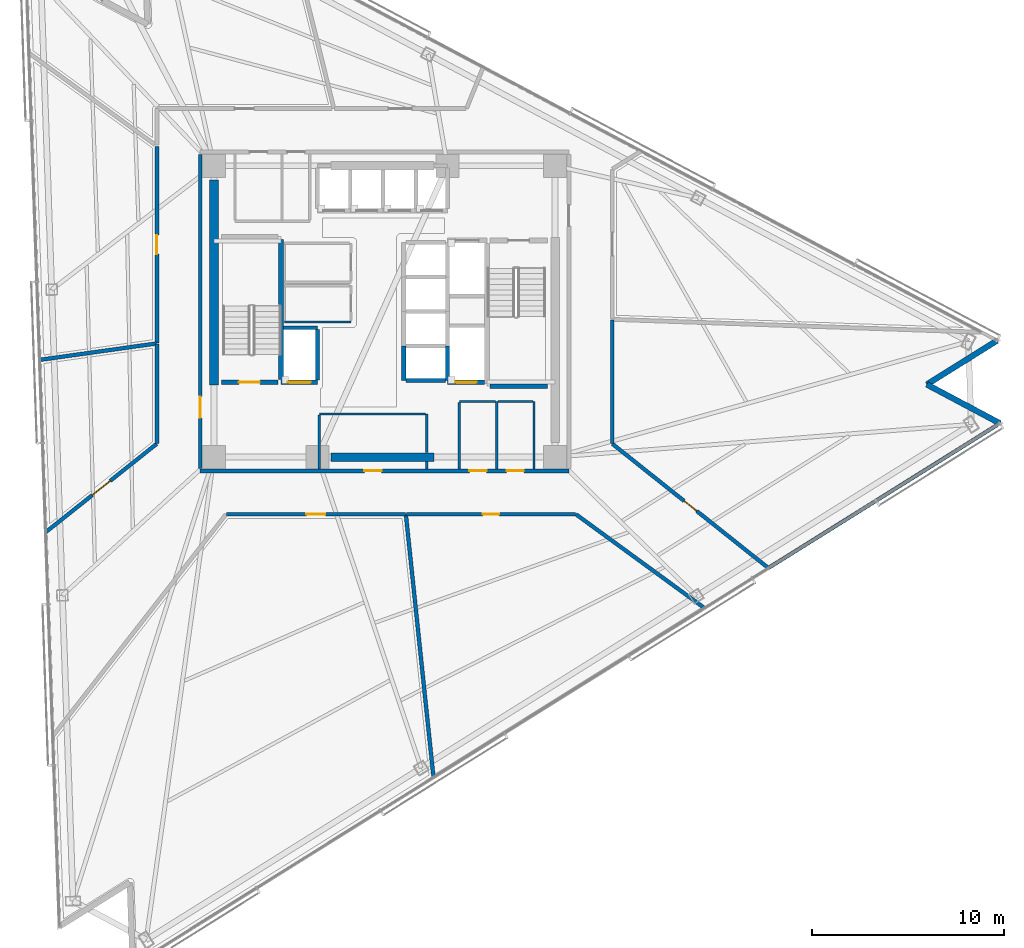
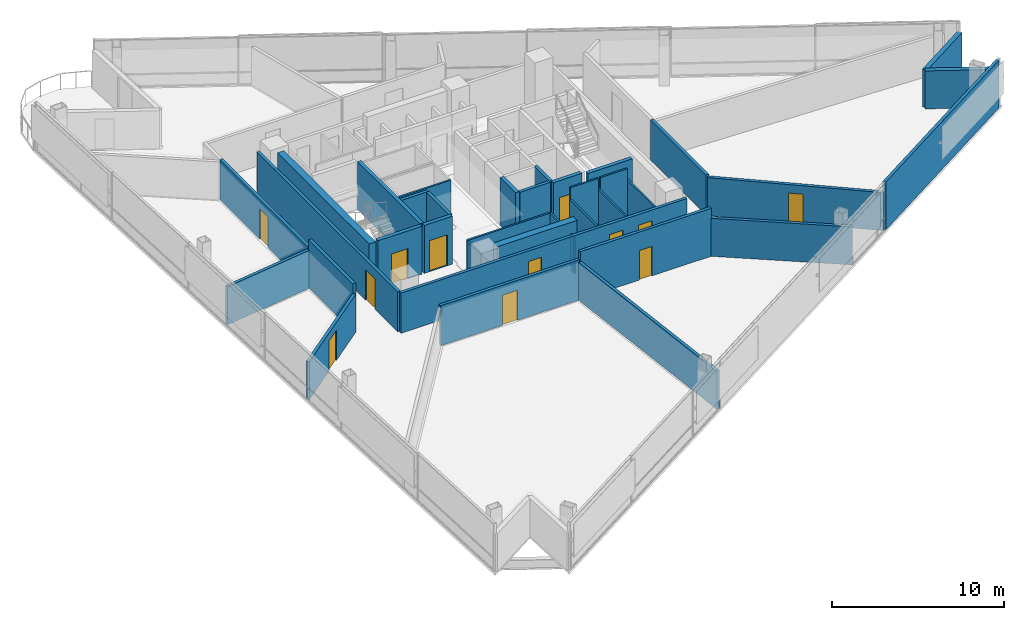
# One storey, part 12 of 20: 37 walls, 12 doors, 12 openings.
"""IFC4 building model written with IfcOpenShell, lengths in metres."""

import ifcopenshell
import ifcopenshell.guid

model = None  # the IFC model being written
_history = None  # IfcOwnerHistory: only IFC2X3 demands one
_inside = {}  # id of a spatial element -> (the spatial element, [elements in it])
_under = {}  # id of a project, library or spatial element -> (it, [spatial elements below it])
_declared = {}  # id of a project -> (the project, [libraries it declares])
_typed = {}  # id of a type object -> (the type object, [elements of that type])
_made_of = {}  # id of a material, layer set ... -> (it, [elements and type objects made of it])


def new_model(schema):
    """Start an empty IFC model of exactly this schema.

    Asked for "IFC4X3", IfcOpenShell would pick the latest addendum, in which some entities
    have other attributes; the version numbers below select the first issue.
    IFC2X3 requires an IfcOwnerHistory on every rooted entity: one is made here for all.
    """
    global model, _history
    if schema == "IFC4X3":
        model = ifcopenshell.file(schema_version=(4, 3, 0, 0))
    else:
        model = ifcopenshell.file(schema=schema)
    _inside.clear()
    _under.clear()
    _declared.clear()
    _typed.clear()
    _made_of.clear()
    _history = None
    if model.schema == "IFC2X3":
        org = make("IfcOrganization", Name="unknown")
        user = make(
            "IfcPersonAndOrganization",
            ThePerson=make("IfcPerson", FamilyName="unknown"),
            TheOrganization=org,
        )
        app = make(
            "IfcApplication",
            ApplicationDeveloper=org,
            Version="unknown",
            ApplicationFullName="unknown",
            ApplicationIdentifier="unknown",
        )
        _history = make(
            "IfcOwnerHistory",
            OwningUser=user,
            OwningApplication=app,
            ChangeAction="ADDED",
            CreationDate=0,
        )
    return model


def make(cls, **values):
    """One entity of the class cls with the attributes given. An attribute that is None is left unset."""
    return model.create_entity(
        cls, **{name: value for name, value in values.items() if value is not None}
    )


def rooted(cls, **values):
    """An entity with a GlobalId (a new one), such as an element, a storey or a relation."""
    return make(cls, GlobalId=ifcopenshell.guid.new(), OwnerHistory=_history, **values)


def si_unit(unit_type, name, prefix=None):
    """IfcSIUnit, for example si_unit("LENGTHUNIT", "METRE", prefix="MILLI")."""
    return make("IfcSIUnit", UnitType=unit_type, Prefix=prefix, Name=name)


def assignment(units):
    """IfcUnitAssignment: the units of a project."""
    return None if units is None else make("IfcUnitAssignment", Units=units)


def point(xyz):
    """IfcCartesianPoint."""
    return None if xyz is None else make("IfcCartesianPoint", Coordinates=xyz)


def direction(xyz):
    """IfcDirection."""
    return None if xyz is None else make("IfcDirection", DirectionRatios=xyz)


def frame(location, z_axis=None, x_axis=None):
    """IfcAxis2Placement3D, a coordinate frame: its origin and axes. An axis left out is left unset."""
    return make(
        "IfcAxis2Placement3D",
        Location=point(location),
        Axis=direction(z_axis),
        RefDirection=direction(x_axis),
    )


def frame_2d(location, x_axis=None):
    """IfcAxis2Placement2D, a coordinate frame in the plane: its origin and x axis."""
    return make(
        "IfcAxis2Placement2D", Location=point(location), RefDirection=direction(x_axis)
    )


def origin():
    """The frame at (0, 0, 0) with its axes left unset."""
    return frame((0.0, 0.0, 0.0))


def place(relative_to, where):
    """IfcLocalPlacement: puts the frame where relative to a parent placement (None: the world)."""
    return make(
        "IfcLocalPlacement", PlacementRelTo=relative_to, RelativePlacement=where
    )


def context(
    kind, dimensions, precision=None, world=None, true_north=None, identifier=None
):
    """IfcGeometricRepresentationContext, for example the 3D "Model" context."""
    return make(
        "IfcGeometricRepresentationContext",
        ContextIdentifier=identifier,
        ContextType=kind,
        CoordinateSpaceDimension=dimensions,
        Precision=precision,
        WorldCoordinateSystem=world,
        TrueNorth=true_north,
    )


def subcontext(parent, identifier, kind, view, scale=None):
    """IfcGeometricRepresentationSubContext, for example "Body" below "Model"."""
    return make(
        "IfcGeometricRepresentationSubContext",
        ContextIdentifier=identifier,
        ContextType=kind,
        ParentContext=parent,
        TargetScale=scale,
        TargetView=view,
    )


def project(units=None, contexts=None):
    """IfcProject with its units and contexts."""
    return rooted(
        "IfcProject",
        Name="project",
        RepresentationContexts=contexts,
        UnitsInContext=assignment(units),
    )


def spatial(cls, under=None, at=None, **own):
    """A site, building, storey or space (cls), placed at a placement, below another one or the project."""
    s = rooted(cls, ObjectPlacement=at, **own)
    if under is not None:
        _under.setdefault(under.id(), (under, []))[1].append(s)
    return s


def profile(cls, at=None, kind="AREA", **sizes):
    """A parametric profile (cls). Its sizes go by their IFC names, for example OverallWidth=200.0."""
    return make(cls, ProfileType=kind, Position=at, **sizes)


def rectangle(**sizes):
    """IfcRectangleProfileDef."""
    return profile("IfcRectangleProfileDef", **sizes)


def extrude(swept, where, along, depth):
    """IfcExtrudedAreaSolid: the profile swept, set in the frame where, extruded along a direction by depth."""
    return make(
        "IfcExtrudedAreaSolid",
        SweptArea=swept,
        Position=where,
        ExtrudedDirection=direction(along),
        Depth=depth,
    )


def shape(context_of_items, identifier, shape_type, items):
    """IfcShapeRepresentation: the items that make up one representation, for example the "Body"."""
    return make(
        "IfcShapeRepresentation",
        ContextOfItems=context_of_items,
        RepresentationIdentifier=identifier,
        RepresentationType=shape_type,
        Items=items,
    )


def material(Name=None, Category=None):
    """IfcMaterial."""
    return make("IfcMaterial", Name=Name, Category=Category)


def layer(
    of_material, thickness, ventilated=None, Name=None, Category=None, Priority=None
):
    """IfcMaterialLayer: one layer of a wall or slab, of a material (None: an air gap)."""
    return make(
        "IfcMaterialLayer",
        Material=of_material,
        LayerThickness=thickness,
        IsVentilated=ventilated,
        Name=Name,
        Category=Category,
        Priority=Priority,
    )


def layer_set(layers, Name=None):
    """IfcMaterialLayerSet."""
    return make("IfcMaterialLayerSet", MaterialLayers=layers, LayerSetName=Name)


def made_of(thing, what):
    """Note that an element or type object is made of a material, layer set ...; save() writes the relation."""
    if what is not None:
        _made_of.setdefault(what.id(), (what, []))[1].append(thing)
    return thing


def type_object(cls, material=None, **own):
    """A type object (cls), such as IfcWallType, which elements share."""
    return made_of(rooted(cls, **own), material)


def element(
    cls,
    number,
    at=None,
    inside=None,
    cuts=None,
    type_object=None,
    material=None,
    context=None,
    identifier="Body",
    shape_type=None,
    held_by="IfcProductDefinitionShape",
    body=None,
    shapes=None,
    **own,
):
    """One element of the class cls, such as IfcWall. Its Tag is "e" and its number.

    at: its placement. inside: the storey or other place that contains it. cuts: it is an
    opening in that element (IfcRelVoidsElement). A single representation is given by context,
    identifier, shape_type and body (its items); several are given by shapes. held_by: the class
    of the entity that holds the representations. save() writes the other relations.
    """
    e = rooted(cls, Tag="e%d" % number, ObjectPlacement=at, **own)
    if body is not None:
        shapes = [shape(context, identifier, shape_type, body)]
    if shapes is not None:
        e.Representation = make(held_by, Representations=shapes)
    if inside is not None:
        _inside.setdefault(inside.id(), (inside, []))[1].append(e)
    if cuts is not None:
        rooted(
            "IfcRelVoidsElement", RelatingBuildingElement=cuts, RelatedOpeningElement=e
        )
    if type_object is not None:
        _typed.setdefault(type_object.id(), (type_object, []))[1].append(e)
    return made_of(e, material)


def fill(opening, filler):
    """IfcRelFillsElement: the door or window that sits in an opening."""
    return rooted(
        "IfcRelFillsElement",
        RelatingOpeningElement=opening,
        RelatedBuildingElement=filler,
    )


def aggregate(whole, parts):
    """IfcRelAggregates: a whole, such as a stair, and the parts it consists of."""
    return rooted("IfcRelAggregates", RelatingObject=whole, RelatedObjects=parts)


def save(model, path):
    """Write the relations noted so far, then the file.

    IfcRelAggregates (storeys below a building ...), IfcRelContainedInSpatialStructure (elements
    in a storey), IfcRelDefinesByType, IfcRelAssociatesMaterial and IfcRelDeclares: one each for
    every whole, place, type object, material and project.
    """
    for whole, parts in _under.values():
        aggregate(whole, parts)
    for where, things in _inside.values():
        rooted(
            "IfcRelContainedInSpatialStructure",
            RelatedElements=things,
            RelatingStructure=where,
        )
    for kind, things in _typed.values():
        rooted("IfcRelDefinesByType", RelatedObjects=things, RelatingType=kind)
    for what, things in _made_of.values():
        rooted("IfcRelAssociatesMaterial", RelatedObjects=things, RelatingMaterial=what)
    for by, libraries in _declared.values():
        rooted("IfcRelDeclares", RelatingContext=by, RelatedDefinitions=libraries)
    model.write(path)


model = new_model("IFC4")

# Units and contexts
model_context = context("Model", 3, precision=1e-05, world=origin(), true_north=direction((0.0, 1.0)))
body_context = subcontext(model_context, "Body", "Model", "MODEL_VIEW")
ifc_project = project(units=[si_unit("LENGTHUNIT", "METRE"), si_unit("AREAUNIT", "SQUARE_METRE"), si_unit("VOLUMEUNIT", "CUBIC_METRE"), si_unit("PLANEANGLEUNIT", "RADIAN"), si_unit("MASSUNIT", "GRAM", prefix="KILO")], contexts=[model_context])

# Site, building, storey
site_placement = place(None, origin())
site = spatial("IfcSite", under=ifc_project, at=site_placement, CompositionType="ELEMENT")
building_placement = place(site_placement, origin())
building = spatial("IfcBuilding", under=site, at=building_placement, Name="Tharavind Bronze Gate", CompositionType="ELEMENT")
storey_placement = place(building_placement, frame((0.0, 0.0, 146.0)))
storey = spatial("IfcBuildingStorey", under=building, at=storey_placement, Name="L37", CompositionType="ELEMENT", Elevation=146.0)

# Walls
ifc_material_1 = material(Name="Concrete C40/50", Category="concrete")
ifc_layer_1 = layer(ifc_material_1, 0.300048828125)
ifc_layer_set_1 = layer_set([ifc_layer_1], Name="Concrete C40/50")
wall_type_1 = type_object("IfcWallType", Name="EXTERIOR SPANDREL WALL 300", PredefinedType="STANDARD", material=ifc_layer_set_1)
wall_1_placement = place(storey_placement, frame((32.114501953125, -5.83984375, 0.0), z_axis=(0.0, 0.0, 1.0), x_axis=(-0.882945167019, 0.469476125099, 0.0)))
element("IfcWall", 1, at=wall_1_placement, inside=storey, type_object=wall_type_1, Name="L37 notch cheek wall 3A", PredefinedType="STANDARD", context=body_context, shape_type="SweptSolid", body=[
    extrude(rectangle(XDim=4.31982421875, YDim=0.300048828125, at=frame_2d((2.159912109375, 0.0))), origin(), (0.0, 0.0, 1.0), 2.705078125),
])
wall_2_placement = place(storey_placement, frame((28.30029296875, -3.811767578125, 0.0), z_axis=(0.0, 0.0, 1.0), x_axis=(0.848042749904, 0.529927819929, 0.0)))
element("IfcWall", 2, at=wall_2_placement, inside=storey, type_object=wall_type_1, Name="L37 notch cheek wall 3B", PredefinedType="STANDARD", context=body_context, shape_type="SweptSolid", body=[
    extrude(rectangle(XDim=4.320068359375, YDim=0.300048828125, at=frame_2d((2.16015625, 0.0))), origin(), (0.0, 0.0, 1.0), 2.705078125),
])

# Wall, openings, doors
ifc_material_2 = material(Name="Aerated Concrete Block", Category="concrete")
ifc_layer_2 = layer(ifc_material_2, 0.199951171875)
ifc_layer_set_2 = layer_set([ifc_layer_2], Name="Aerated Concrete Block")
wall_type_2 = type_object("IfcWallType", Name="FIRE RATED PARTITION 200", PredefinedType="PARTITIONING", material=ifc_layer_set_2)
wall_3_placement = place(storey_placement, frame((-9.6201171875, -8.320068359375, 0.0), z_axis=(0.0, 0.0, 1.0), x_axis=(1.0, 0.0, 0.0)))
wall_3 = element("IfcWall", 3, at=wall_3_placement, inside=storey, type_object=wall_type_2, Name="L37 south core corridor wall", PredefinedType="PARTITIONING", context=body_context, shape_type="SweptSolid", body=[
    extrude(rectangle(XDim=19.240234375, YDim=0.199951171875, at=frame_2d((9.6201171875, 0.0))), origin(), (0.0, 0.0, 1.0), 2.85498046875),
])
opening_1_placement = place(wall_3_placement, frame((8.570068359375, 0.0, 0.0)))
opening_1 = element("IfcOpeningElement", 4, at=opening_1_placement, cuts=wall_3, Name="Opening ID07", PredefinedType="OPENING", context=body_context, shape_type="SweptSolid", body=[
    extrude(rectangle(XDim=0.89990234375, YDim=2.10009765625, at=frame_2d((0.449951171875, 1.050048828125))), frame((0.0, 0.11009765625, 0.0), z_axis=(0.0, -1.0, 0.0), x_axis=(1.0, 0.0, 0.0)), (0.0, 0.0, 1.0), 0.219951171875),
])
opening_2_placement = place(wall_3_placement, frame((14.044921875, 0.0, 0.0)))
opening_2 = element("IfcOpeningElement", 5, at=opening_2_placement, cuts=wall_3, Name="Opening ID07", PredefinedType="OPENING", context=body_context, shape_type="SweptSolid", body=[
    extrude(rectangle(XDim=0.89990234375, YDim=2.10009765625, at=frame_2d((0.449951171875, 1.050048828125))), frame((0.0, 0.11009765625, 0.0), z_axis=(0.0, -1.0, 0.0), x_axis=(1.0, 0.0, 0.0)), (0.0, 0.0, 1.0), 0.219951171875),
])
opening_3_placement = place(wall_3_placement, frame((15.9951171875, 0.0, 0.0)))
opening_3 = element("IfcOpeningElement", 6, at=opening_3_placement, cuts=wall_3, Name="Opening ID07", PredefinedType="OPENING", context=body_context, shape_type="SweptSolid", body=[
    extrude(rectangle(XDim=0.89990234375, YDim=2.10009765625, at=frame_2d((0.449951171875, 1.050048828125))), frame((0.0, 0.11009765625, 0.0), z_axis=(0.0, -1.0, 0.0), x_axis=(1.0, 0.0, 0.0)), (0.0, 0.0, 1.0), 0.219951171875),
])
ifc_material_3 = material(Name="Galvanised Fire Steel", Category="steel")
door_type_1 = type_object("IfcDoorType", Name="PLANT AND RISER FIRE DOOR 900X2100", OperationType="SINGLE_SWING_LEFT", PredefinedType="DOOR", material=ifc_material_3)
door_1_placement = place(opening_1_placement, origin())
door_1 = element("IfcDoor", 7, at=door_1_placement, inside=storey, type_object=door_type_1, Name="L37 Core BMS Control Room fire door", OperationType="SINGLE_SWING_LEFT", OverallHeight=2.10009765625, OverallWidth=0.89990234375, PredefinedType="DOOR", context=body_context, shape_type="SweptSolid", body=[
    extrude(rectangle(XDim=0.89990234375, YDim=2.10009765625, at=frame_2d((0.449951171875, 1.050048828125))), frame((0.0, 0.02490234375, 0.0), z_axis=(0.0, -1.0, 0.0), x_axis=(1.0, 0.0, 0.0)), (0.0, 0.0, 1.0), 0.050048828125),
])
fill(opening_1, door_1)
door_2_placement = place(opening_2_placement, origin())
door_2 = element("IfcDoor", 8, at=door_2_placement, inside=storey, type_object=door_type_1, Name="L37 Comms Patch Room fire door", OperationType="SINGLE_SWING_LEFT", OverallHeight=2.10009765625, OverallWidth=0.89990234375, PredefinedType="DOOR", context=body_context, shape_type="SweptSolid", body=[
    extrude(rectangle(XDim=0.89990234375, YDim=2.10009765625, at=frame_2d((0.449951171875, 1.050048828125))), frame((0.0, 0.02490234375, 0.0), z_axis=(0.0, -1.0, 0.0), x_axis=(1.0, 0.0, 0.0)), (0.0, 0.0, 1.0), 0.050048828125),
])
fill(opening_2, door_2)
door_3_placement = place(opening_3_placement, origin())
door_3 = element("IfcDoor", 9, at=door_3_placement, inside=storey, type_object=door_type_1, Name="L37 Housekeeping Store fire door", OperationType="SINGLE_SWING_LEFT", OverallHeight=2.10009765625, OverallWidth=0.89990234375, PredefinedType="DOOR", context=body_context, shape_type="SweptSolid", body=[
    extrude(rectangle(XDim=0.89990234375, YDim=2.10009765625, at=frame_2d((0.449951171875, 1.050048828125))), frame((0.0, 0.02490234375, 0.0), z_axis=(0.0, -1.0, 0.0), x_axis=(1.0, 0.0, 0.0)), (0.0, 0.0, 1.0), 0.050048828125),
])
fill(opening_3, door_3)

# Wall, opening, door
wall_4_placement = place(storey_placement, frame((-9.6201171875, 8.199951171875, 0.0), z_axis=(0.0, 0.0, 1.0), x_axis=(0.0, -1.0, 0.0)))
wall_4 = element("IfcWall", 10, at=wall_4_placement, inside=storey, type_object=wall_type_2, Name="L37 west core corridor wall", PredefinedType="PARTITIONING", context=body_context, shape_type="SweptSolid", body=[
    extrude(rectangle(XDim=16.39990234375, YDim=0.199951171875, at=frame_2d((8.199951171875, 0.0))), origin(), (0.0, 0.0, 1.0), 2.85498046875),
])
opening_4_placement = place(wall_4_placement, frame((12.64990234375, 0.0, 0.0)))
opening_4 = element("IfcOpeningElement", 11, at=opening_4_placement, cuts=wall_4, Name="Opening ID01", PredefinedType="OPENING", context=body_context, shape_type="SweptSolid", body=[
    extrude(rectangle(XDim=1.10009765625, YDim=2.14990234375, at=frame_2d((0.550048828125, 1.074951171875))), frame((0.0, 0.11009765625, 0.0), z_axis=(0.0, -1.0, 0.0), x_axis=(1.0, 0.0, 0.0)), (0.0, 0.0, 1.0), 0.219951171875),
])
ifc_material_4 = material(Name="Fire-Rated Steel", Category="steel")
door_type_2 = type_object("IfcDoorType", Name="STAIR CORE FIRE DOOR 1100X2150", OperationType="SINGLE_SWING_LEFT", PredefinedType="DOOR", material=ifc_material_4)
door_4_placement = place(opening_4_placement, frame((1.10009765625, 0.0, 0.0), z_axis=(0.0, 0.0, 1.0), x_axis=(-1.0, 0.0, 0.0)))
door_4 = element("IfcDoor", 12, at=door_4_placement, inside=storey, type_object=door_type_2, Name="L37 south west stair lobby fire door", OperationType="SINGLE_SWING_LEFT", OverallHeight=2.14990234375, OverallWidth=1.10009765625, PredefinedType="DOOR", context=body_context, shape_type="SweptSolid", body=[
    extrude(rectangle(XDim=1.10009765625, YDim=2.14990234375, at=frame_2d((0.550048828125, 1.074951171875))), frame((0.0, 0.02490234375, 0.0), z_axis=(0.0, -1.0, 0.0), x_axis=(1.0, 0.0, 0.0)), (0.0, 0.0, 1.0), 0.050048828125),
])
fill(opening_4, door_4)

# Wall
wall_5_placement = place(storey_placement, frame((2.55517578125, -24.310791015625, 0.0), z_axis=(0.0, 0.0, 1.0), x_axis=(-0.104523371889, 0.994522430481, 0.0)))
element("IfcWall", 13, at=wall_5_placement, inside=storey, type_object=wall_type_2, Name="L37 Public Restrooms Block partition", PredefinedType="PARTITIONING", context=body_context, shape_type="SweptSolid", body=[
    extrude(rectangle(XDim=13.778564453125, YDim=0.199951171875, at=frame_2d((6.88916015625, 0.0))), origin(), (0.0, 0.0, 1.0), 2.705078125),
])

# Wall, opening, door
wall_6_placement = place(storey_placement, frame((1.139892578125, -10.580078125, 0.0), z_axis=(0.0, 0.0, 1.0), x_axis=(1.0, 0.0, 0.0)))
wall_6 = element("IfcWall", 14, at=wall_6_placement, inside=storey, type_object=wall_type_2, Name="L37 Public Restrooms Block partition", PredefinedType="PARTITIONING", context=body_context, shape_type="SweptSolid", body=[
    extrude(rectangle(XDim=8.830078125, YDim=0.199951171875, at=frame_2d((4.4150390625, 0.0))), origin(), (0.0, 0.0, 1.0), 3.409912109375),
])
opening_5_placement = place(wall_6_placement, frame((3.989990234375, 0.0, 0.0)))
opening_5 = element("IfcOpeningElement", 15, at=opening_5_placement, cuts=wall_6, Name="Opening ID06", PredefinedType="OPENING", context=body_context, shape_type="SweptSolid", body=[
    extrude(rectangle(XDim=0.85009765625, YDim=2.10009765625, at=frame_2d((0.425048828125, 1.050048828125))), frame((0.0, 0.11009765625, 0.0), z_axis=(0.0, -1.0, 0.0), x_axis=(1.0, 0.0, 0.0)), (0.0, 0.0, 1.0), 0.219951171875),
])
ifc_material_5 = material(Name="Moisture-Resistant Timber", Category="wood")
door_type_3 = type_object("IfcDoorType", Name="BATHROOM PRIVACY DOOR 850X2100", OperationType="SINGLE_SWING_RIGHT", PredefinedType="DOOR", material=ifc_material_5)
door_5_placement = place(opening_5_placement, origin())
door_5 = element("IfcDoor", 16, at=door_5_placement, inside=storey, type_object=door_type_3, Name="L37 Public Restrooms Block door", OperationType="SINGLE_SWING_RIGHT", OverallHeight=2.10009765625, OverallWidth=0.85009765625, PredefinedType="DOOR", context=body_context, shape_type="SweptSolid", body=[
    extrude(rectangle(XDim=0.85009765625, YDim=2.10009765625, at=frame_2d((0.425048828125, 1.050048828125))), frame((0.0, 0.02490234375, 0.0), z_axis=(0.0, -1.0, 0.0), x_axis=(1.0, 0.0, 0.0)), (0.0, 0.0, 1.0), 0.050048828125),
])
fill(opening_5, door_5)

# Wall
wall_7_placement = place(storey_placement, frame((9.98486328125, -10.584716796875, 0.0), z_axis=(0.0, 0.0, 1.0), x_axis=(0.807835985814, -0.589407346429, 0.0)))
element("IfcWall", 17, at=wall_7_placement, inside=storey, type_object=wall_type_2, Name="L37 Public Restrooms Block partition", PredefinedType="PARTITIONING", context=body_context, shape_type="SweptSolid", body=[
    extrude(rectangle(XDim=8.30126953125, YDim=0.199951171875, at=frame_2d((4.150634765625, 0.0))), origin(), (0.0, 0.0, 1.0), 2.705078125),
])

# Wall, opening, door
wall_8_placement = place(storey_placement, frame((20.030029296875, -13.39111328125, 0.0), z_axis=(0.0, 0.0, 1.0), x_axis=(-0.782379652936, 0.622801797261, 0.0)))
wall_8 = element("IfcWall", 18, at=wall_8_placement, inside=storey, type_object=wall_type_2, Name="L37 Public Restrooms Block partition", PredefinedType="PARTITIONING", context=body_context, shape_type="SweptSolid", body=[
    extrude(rectangle(XDim=10.405029296875, YDim=0.199951171875, at=frame_2d((5.20263671875, 0.0))), origin(), (0.0, 0.0, 1.0), 2.705078125),
])
opening_6_placement = place(wall_8_placement, frame((4.777099609375, 0.0, 0.0)))
opening_6 = element("IfcOpeningElement", 19, at=opening_6_placement, cuts=wall_8, Name="Opening ID06", PredefinedType="OPENING", context=body_context, shape_type="SweptSolid", body=[
    extrude(rectangle(XDim=0.85009765625, YDim=2.10009765625, at=frame_2d((0.425048828125, 1.050048828125))), frame((0.0, 0.11009765625, 0.0), z_axis=(0.0, -1.0, 0.0), x_axis=(1.0, 0.0, 0.0)), (0.0, 0.0, 1.0), 0.219951171875),
])
door_6_placement = place(opening_6_placement, origin())
door_6 = element("IfcDoor", 20, at=door_6_placement, inside=storey, type_object=door_type_3, Name="L37 Public Restrooms Block door", OperationType="SINGLE_SWING_RIGHT", OverallHeight=2.10009765625, OverallWidth=0.85009765625, PredefinedType="DOOR", context=body_context, shape_type="SweptSolid", body=[
    extrude(rectangle(XDim=0.85009765625, YDim=2.10009765625, at=frame_2d((0.425048828125, 1.050048828125))), frame((0.0, 0.02490234375, 0.0), z_axis=(0.0, -1.0, 0.0), x_axis=(1.0, 0.0, 0.0)), (0.0, 0.0, 1.0), 0.050048828125),
])
fill(opening_6, door_6)

# Walls
wall_9_placement = place(storey_placement, frame((11.8798828125, -6.891357421875, 0.0), z_axis=(0.0, 0.0, 1.0), x_axis=(0.0, 1.0, 0.0)))
element("IfcWall", 21, at=wall_9_placement, inside=storey, type_object=wall_type_2, Name="L37 Public Restrooms Block partition", PredefinedType="PARTITIONING", context=body_context, shape_type="SweptSolid", body=[
    extrude(rectangle(XDim=6.45068359375, YDim=0.199951171875, at=frame_2d((3.225341796875, 0.0))), origin(), (0.0, 0.0, 1.0), 2.85498046875),
])
wall_10_placement = place(storey_placement, frame((31.962890625, -5.934814453125, 0.0), z_axis=(0.0, 0.0, 1.0), x_axis=(-0.848057783803, -0.529903760442, 0.0)))
element("IfcWall", 22, at=wall_10_placement, inside=storey, type_object=wall_type_2, Name="L37 Public Restrooms Block partition", PredefinedType="PARTITIONING", context=body_context, shape_type="SweptSolid", body=[
    extrude(rectangle(XDim=14.06494140625, YDim=0.199951171875, at=frame_2d((7.032470703125, 0.0))), origin(), (0.0, 0.0, 1.0), 3.409912109375),
])

# Wall, opening, door
wall_11_placement = place(storey_placement, frame((-11.8798828125, 8.61865234375, 0.0), z_axis=(0.0, 0.0, 1.0), x_axis=(0.0, -1.0, 0.0)))
wall_11 = element("IfcWall", 23, at=wall_11_placement, inside=storey, type_object=wall_type_2, Name="L37 Executive Office West partition", PredefinedType="PARTITIONING", context=body_context, shape_type="SweptSolid", body=[
    extrude(rectangle(XDim=10.2666015625, YDim=0.199951171875, at=frame_2d((5.13330078125, 0.0))), origin(), (0.0, 0.0, 1.0), 2.85498046875),
])
opening_7_placement = place(wall_11_placement, frame((4.633056640625, 0.0, 0.0)))
opening_7 = element("IfcOpeningElement", 24, at=opening_7_placement, cuts=wall_11, Name="Opening ID04", PredefinedType="OPENING", context=body_context, shape_type="SweptSolid", body=[
    extrude(rectangle(XDim=1.0, YDim=2.14990234375, at=frame_2d((0.5, 1.074951171875))), frame((0.0, 0.11009765625, 0.0), z_axis=(0.0, -1.0, 0.0), x_axis=(1.0, 0.0, 0.0)), (0.0, 0.0, 1.0), 0.219951171875),
])
ifc_material_6 = material(Name="Bronze Framed Acoustic Timber", Category="wood")
door_type_4 = type_object("IfcDoorType", Name="OFFICE TENANCY DOOR 1000X2150", OperationType="SINGLE_SWING_RIGHT", PredefinedType="DOOR", material=ifc_material_6)
door_7_placement = place(opening_7_placement, origin())
door_7 = element("IfcDoor", 25, at=door_7_placement, inside=storey, type_object=door_type_4, Name="L37 Executive Office West door", OperationType="SINGLE_SWING_RIGHT", OverallHeight=2.14990234375, OverallWidth=1.0, PredefinedType="DOOR", context=body_context, shape_type="SweptSolid", body=[
    extrude(rectangle(XDim=1.0, YDim=2.14990234375, at=frame_2d((0.5, 1.074951171875))), frame((0.0, 0.02490234375, 0.0), z_axis=(0.0, -1.0, 0.0), x_axis=(1.0, 0.0, 0.0)), (0.0, 0.0, 1.0), 0.050048828125),
])
fill(opening_7, door_7)

# Walls
wall_12_placement = place(storey_placement, frame((-11.901611328125, -1.672607421875, 0.0), z_axis=(0.0, 0.0, 1.0), x_axis=(-0.990268435755, -0.139170489501, 0.0)))
element("IfcWall", 26, at=wall_12_placement, inside=storey, type_object=wall_type_2, Name="L37 Executive Office West partition", PredefinedType="PARTITIONING", context=body_context, shape_type="SweptSolid", body=[
    extrude(rectangle(XDim=6.12060546875, YDim=0.199951171875, at=frame_2d((3.060302734375, 0.0))), origin(), (0.0, 0.0, 1.0), 2.705078125),
])
wall_13_placement = place(storey_placement, frame((-11.8798828125, -1.698486328125, 0.0), z_axis=(0.0, 0.0, 1.0), x_axis=(0.0, -1.0, 0.0)))
element("IfcWall", 27, at=wall_13_placement, inside=storey, type_object=wall_type_2, Name="L37 Regional Boardroom partition", PredefinedType="PARTITIONING", context=body_context, shape_type="SweptSolid", body=[
    extrude(rectangle(XDim=5.19287109375, YDim=0.199951171875, at=frame_2d((2.596435546875, 0.0))), origin(), (0.0, 0.0, 1.0), 3.409912109375),
])

# Wall, opening, door
wall_14_placement = place(storey_placement, frame((-11.889404296875, -6.910888671875, 0.0), z_axis=(0.0, 0.0, 1.0), x_axis=(-0.782386471956, -0.622793230936, 0.0)))
wall_14 = element("IfcWall", 28, at=wall_14_placement, inside=storey, type_object=wall_type_2, Name="L37 Regional Boardroom partition", PredefinedType="PARTITIONING", context=body_context, shape_type="SweptSolid", body=[
    extrude(rectangle(XDim=7.396484375, YDim=0.199951171875, at=frame_2d((3.6982421875, 0.0))), origin(), (0.0, 0.0, 1.0), 2.705078125),
])
opening_8_placement = place(wall_14_placement, frame((3.097900390625, 0.0, 0.0)))
opening_8 = element("IfcOpeningElement", 29, at=opening_8_placement, cuts=wall_14, Name="Opening ID05", PredefinedType="OPENING", context=body_context, shape_type="SweptSolid", body=[
    extrude(rectangle(XDim=1.199951171875, YDim=2.14990234375, at=frame_2d((0.60009765625, 1.074951171875))), frame((0.0, 0.11009765625, 0.0), z_axis=(0.0, -1.0, 0.0), x_axis=(1.0, 0.0, 0.0)), (0.0, 0.0, 1.0), 0.219951171875),
])
ifc_material_7 = material(Name="Acoustic Laminated Glass", Category="glass")
door_type_5 = type_object("IfcDoorType", Name="MEETING ROOM GLAZED DOOR 1200X2150", OperationType="SINGLE_SWING_LEFT", PredefinedType="DOOR", material=ifc_material_7)
door_8_placement = place(opening_8_placement, origin())
door_8 = element("IfcDoor", 30, at=door_8_placement, inside=storey, type_object=door_type_5, Name="L37 Regional Boardroom door", OperationType="SINGLE_SWING_LEFT", OverallHeight=2.14990234375, OverallWidth=1.199951171875, PredefinedType="DOOR", context=body_context, shape_type="SweptSolid", body=[
    extrude(rectangle(XDim=1.199951171875, YDim=2.14990234375, at=frame_2d((0.60009765625, 1.074951171875))), frame((0.0, 0.02490234375, 0.0), z_axis=(0.0, -1.0, 0.0), x_axis=(1.0, 0.0, 0.0)), (0.0, 0.0, 1.0), 0.050048828125),
])
fill(opening_8, door_8)

wall_15_placement = place(storey_placement, frame((-8.25390625, -10.580078125, 0.0), z_axis=(0.0, 0.0, 1.0), x_axis=(1.0, 0.0, 0.0)))
wall_15 = element("IfcWall", 31, at=wall_15_placement, inside=storey, type_object=wall_type_2, Name="L37 Open Office partition", PredefinedType="PARTITIONING", context=body_context, shape_type="SweptSolid", body=[
    extrude(rectangle(XDim=9.343505859375, YDim=0.199951171875, at=frame_2d((4.671875, 0.0))), origin(), (0.0, 0.0, 1.0), 2.85498046875),
])
opening_9_placement = place(wall_15_placement, frame((4.172119140625, 0.0, 0.0)))
opening_9 = element("IfcOpeningElement", 32, at=opening_9_placement, cuts=wall_15, Name="Opening ID04", PredefinedType="OPENING", context=body_context, shape_type="SweptSolid", body=[
    extrude(rectangle(XDim=1.0, YDim=2.14990234375, at=frame_2d((0.5, 1.074951171875))), frame((0.0, 0.11009765625, 0.0), z_axis=(0.0, -1.0, 0.0), x_axis=(1.0, 0.0, 0.0)), (0.0, 0.0, 1.0), 0.219951171875),
])
door_9_placement = place(opening_9_placement, origin())
door_9 = element("IfcDoor", 33, at=door_9_placement, inside=storey, type_object=door_type_4, Name="L37 Open Office door", OperationType="SINGLE_SWING_RIGHT", OverallHeight=2.14990234375, OverallWidth=1.0, PredefinedType="DOOR", context=body_context, shape_type="SweptSolid", body=[
    extrude(rectangle(XDim=1.0, YDim=2.14990234375, at=frame_2d((0.5, 1.074951171875))), frame((0.0, 0.02490234375, 0.0), z_axis=(0.0, -1.0, 0.0), x_axis=(1.0, 0.0, 0.0)), (0.0, 0.0, 1.0), 0.050048828125),
])
fill(opening_9, door_9)

# Walls
ifc_material_8 = material(Name="Metal Stud Gypsum Partition", Category="gypsum")
ifc_layer_3 = layer(ifc_material_8, 0.1201171875)
ifc_layer_set_3 = layer_set([ifc_layer_3], Name="Metal Stud Gypsum Partition")
wall_type_3 = type_object("IfcWallType", Name="INTERIOR PARTITION WALL 120", PredefinedType="PARTITIONING", material=ifc_layer_set_3)
wall_16_placement = place(storey_placement, frame((-5.219970703125, -0.550048828125, 0.0), z_axis=(0.0, 0.0, 1.0), x_axis=(1.0, 0.0, 0.0)))
element("IfcWall", 34, at=wall_16_placement, inside=storey, type_object=wall_type_3, Name="L37 Electrical Switch Room partition 1", PredefinedType="PARTITIONING", context=body_context, shape_type="SweptSolid", body=[
    extrude(rectangle(XDim=3.469970703125, YDim=0.1201171875, at=frame_2d((1.73486328125, 0.0))), origin(), (0.0, 0.0, 1.0), 3.409912109375),
])
wall_17_placement = place(storey_placement, frame((2.199951171875, -8.215087890625, 0.0), z_axis=(0.0, 0.0, 1.0), x_axis=(0.0, 1.0, 0.0)))
element("IfcWall", 35, at=wall_17_placement, inside=storey, type_object=wall_type_3, Name="L37 Core BMS Control Room partition 2", PredefinedType="PARTITIONING", context=body_context, shape_type="SweptSolid", body=[
    extrude(rectangle(XDim=0.385009765625, YDim=0.1201171875, at=frame_2d((0.1923828125, 0.0))), origin(), (0.0, 0.0, 1.0), 2.60498046875),
])
wall_18_placement = place(storey_placement, frame((2.199951171875, -7.3701171875, 0.0), z_axis=(0.0, 0.0, 1.0), x_axis=(0.0, 1.0, 0.0)))
element("IfcWall", 36, at=wall_18_placement, inside=storey, type_object=wall_type_3, Name="L37 Core BMS Control Room partition 2", PredefinedType="PARTITIONING", context=body_context, shape_type="SweptSolid", body=[
    extrude(rectangle(XDim=2.02001953125, YDim=0.1201171875, at=frame_2d((1.010009765625, 0.0))), origin(), (0.0, 0.0, 1.0), 2.60498046875),
])
wall_19_placement = place(storey_placement, frame((2.135009765625, -5.35009765625, 0.0), z_axis=(0.0, 0.0, 1.0), x_axis=(-1.0, 0.0, 0.0)))
element("IfcWall", 37, at=wall_19_placement, inside=storey, type_object=wall_type_3, Name="L37 Core BMS Control Room partition 3", PredefinedType="PARTITIONING", context=body_context, shape_type="SweptSolid", body=[
    extrude(rectangle(XDim=5.534912109375, YDim=0.1201171875, at=frame_2d((2.767578125, 0.0))), origin(), (0.0, 0.0, 1.0), 2.60498046875),
])
wall_20_placement = place(storey_placement, frame((-3.39990234375, -5.4150390625, 0.0), z_axis=(0.0, 0.0, 1.0), x_axis=(0.0, -1.0, 0.0)))
element("IfcWall", 38, at=wall_20_placement, inside=storey, type_object=wall_type_3, Name="L37 Core BMS Control Room partition 4", PredefinedType="PARTITIONING", context=body_context, shape_type="SweptSolid", body=[
    extrude(rectangle(XDim=2.800048828125, YDim=0.1201171875, at=frame_2d((1.39990234375, 0.0))), origin(), (0.0, 0.0, 1.0), 2.60498046875),
])
wall_21_placement = place(storey_placement, frame((5.85009765625, -8.215087890625, 0.0), z_axis=(0.0, 0.0, 1.0), x_axis=(0.0, 1.0, 0.0)))
element("IfcWall", 39, at=wall_21_placement, inside=storey, type_object=wall_type_3, Name="L37 Comms Patch Room partition 2", PredefinedType="PARTITIONING", context=body_context, shape_type="SweptSolid", body=[
    extrude(rectangle(XDim=3.51513671875, YDim=0.1201171875, at=frame_2d((1.757568359375, 0.0))), origin(), (0.0, 0.0, 1.0), 2.60498046875),
])
wall_22_placement = place(storey_placement, frame((5.784912109375, -4.699951171875, 0.0), z_axis=(0.0, 0.0, 1.0), x_axis=(-1.0, 0.0, 0.0)))
element("IfcWall", 40, at=wall_22_placement, inside=storey, type_object=wall_type_3, Name="L37 Comms Patch Room partition 3", PredefinedType="PARTITIONING", context=body_context, shape_type="SweptSolid", body=[
    extrude(rectangle(XDim=1.885009765625, YDim=0.1201171875, at=frame_2d((0.9423828125, 0.0))), origin(), (0.0, 0.0, 1.0), 3.409912109375),
])
wall_23_placement = place(storey_placement, frame((3.89990234375, -4.764892578125, 0.0), z_axis=(0.0, 0.0, 1.0), x_axis=(0.0, -1.0, 0.0)))
element("IfcWall", 41, at=wall_23_placement, inside=storey, type_object=wall_type_3, Name="L37 Comms Patch Room partition 4", PredefinedType="PARTITIONING", context=body_context, shape_type="SweptSolid", body=[
    extrude(rectangle(XDim=3.4501953125, YDim=0.1201171875, at=frame_2d((1.72509765625, 0.0))), origin(), (0.0, 0.0, 1.0), 2.60498046875),
])
wall_24_placement = place(storey_placement, frame((7.800048828125, -8.215087890625, 0.0), z_axis=(0.0, 0.0, 1.0), x_axis=(0.0, 1.0, 0.0)))
element("IfcWall", 42, at=wall_24_placement, inside=storey, type_object=wall_type_3, Name="L37 Housekeeping Store partition 2", PredefinedType="PARTITIONING", context=body_context, shape_type="SweptSolid", body=[
    extrude(rectangle(XDim=3.51513671875, YDim=0.1201171875, at=frame_2d((1.757568359375, 0.0))), origin(), (0.0, 0.0, 1.0), 2.60498046875),
])
wall_25_placement = place(storey_placement, frame((7.735107421875, -4.699951171875, 0.0), z_axis=(0.0, 0.0, 1.0), x_axis=(-1.0, 0.0, 0.0)))
element("IfcWall", 43, at=wall_25_placement, inside=storey, type_object=wall_type_3, Name="L37 Housekeeping Store partition 3", PredefinedType="PARTITIONING", context=body_context, shape_type="SweptSolid", body=[
    extrude(rectangle(XDim=1.820068359375, YDim=0.1201171875, at=frame_2d((0.91015625, 0.0))), origin(), (0.0, 0.0, 1.0), 3.409912109375),
])
ifc_material_9 = material(Name="Concrete C50/60", Category="concrete")
ifc_layer_4 = layer(ifc_material_9, 0.25)
ifc_layer_set_4 = layer_set([ifc_layer_4], Name="Concrete C50/60")
wall_type_4 = type_object("IfcWallType", Name="RC CORE SHEAR WALL 250", PredefinedType="SHEAR", material=ifc_layer_set_4)
wall_26_placement = place(storey_placement, frame((-5.39990234375, -3.550048828125, 0.0), z_axis=(0.0, 0.0, 1.0), x_axis=(0.0, 1.0, 0.0)))
element("IfcWall", 44, at=wall_26_placement, inside=storey, type_object=wall_type_4, Name="L37 ST1 shaft east wall", PredefinedType="SHEAR", context=body_context, shape_type="SweptSolid", body=[
    extrude(rectangle(XDim=7.300048828125, YDim=0.25, at=frame_2d((3.64990234375, 0.0))), origin(), (0.0, 0.0, 1.0), 3.409912109375),
])

# Wall, opening, door
wall_27_placement = place(storey_placement, frame((-8.5, -3.699951171875, 0.0), z_axis=(0.0, 0.0, 1.0), x_axis=(1.0, 0.0, 0.0)))
wall_27 = element("IfcWall", 45, at=wall_27_placement, inside=storey, type_object=wall_type_4, Name="L37 ST1 shaft south wall", PredefinedType="SHEAR", context=body_context, shape_type="SweptSolid", body=[
    extrude(rectangle(XDim=2.949951171875, YDim=0.25, at=frame_2d((1.47509765625, 0.0))), origin(), (0.0, 0.0, 1.0), 3.409912109375),
])
opening_10_placement = place(wall_27_placement, frame((0.89990234375, 0.0, 0.0)))
opening_10 = element("IfcOpeningElement", 46, at=opening_10_placement, cuts=wall_27, Name="Opening ID01", PredefinedType="OPENING", context=body_context, shape_type="SweptSolid", body=[
    extrude(rectangle(XDim=1.10009765625, YDim=2.14990234375, at=frame_2d((0.550048828125, 1.074951171875))), frame((0.0, 0.135, 0.0), z_axis=(0.0, -1.0, 0.0), x_axis=(1.0, 0.0, 0.0)), (0.0, 0.0, 1.0), 0.27),
])
door_10_placement = place(opening_10_placement, origin())
door_10 = element("IfcDoor", 47, at=door_10_placement, inside=storey, type_object=door_type_2, Name="L37 exit stair ST1 fire door", OperationType="SINGLE_SWING_LEFT", OverallHeight=2.14990234375, OverallWidth=1.10009765625, PredefinedType="DOOR", context=body_context, shape_type="SweptSolid", body=[
    extrude(rectangle(XDim=1.10009765625, YDim=2.14990234375, at=frame_2d((0.550048828125, 1.074951171875))), frame((0.0, 0.02490234375, 0.0), z_axis=(0.0, -1.0, 0.0), x_axis=(1.0, 0.0, 0.0)), (0.0, 0.0, 1.0), 0.050048828125),
])
fill(opening_10, door_10)

# Walls
wall_28_placement = place(storey_placement, frame((5.5, -3.89990234375, 0.0), z_axis=(0.0, 0.0, 1.0), x_axis=(1.0, 0.0, 0.0)))
element("IfcWall", 48, at=wall_28_placement, inside=storey, type_object=wall_type_4, Name="L37 ST2 shaft south wall", PredefinedType="SHEAR", context=body_context, shape_type="SweptSolid", body=[
    extrude(rectangle(XDim=3.0, YDim=0.25, at=frame_2d((1.5, 0.0))), origin(), (0.0, 0.0, 1.0), 3.409912109375),
])
wall_29_placement = place(storey_placement, frame((1.0, -3.60009765625, 0.0), z_axis=(0.0, 0.0, 1.0), x_axis=(0.0, 1.0, 0.0)))
element("IfcWall", 49, at=wall_29_placement, inside=storey, type_object=wall_type_4, Name="L37 lift PL9 shaft front wall", PredefinedType="SHEAR", context=body_context, shape_type="SweptSolid", body=[
    extrude(rectangle(XDim=1.800048828125, YDim=0.25, at=frame_2d((0.89990234375, 0.0))), origin(), (0.0, 0.0, 1.0), 3.409912109375),
])

# Wall, opening, door
wall_30_placement = place(storey_placement, frame((-5.39990234375, -3.699951171875, 0.0), z_axis=(0.0, 0.0, 1.0), x_axis=(1.0, 0.0, 0.0)))
wall_30 = element("IfcWall", 50, at=wall_30_placement, inside=storey, type_object=wall_type_4, Name="L37 lift FFL1 shaft front wall", PredefinedType="SHEAR", context=body_context, shape_type="SweptSolid", body=[
    extrude(rectangle(XDim=1.89990234375, YDim=0.25, at=frame_2d((0.949951171875, 0.0))), origin(), (0.0, 0.0, 1.0), 3.409912109375),
])
opening_11_placement = place(wall_30_placement, frame((0.35009765625, 0.0, 0.0)))
opening_11 = element("IfcOpeningElement", 51, at=opening_11_placement, cuts=wall_30, Name="Opening LD02", PredefinedType="OPENING", context=body_context, shape_type="SweptSolid", body=[
    extrude(rectangle(XDim=1.199951171875, YDim=2.199951171875, at=frame_2d((0.60009765625, 1.10009765625))), frame((0.0, 0.135, 0.0), z_axis=(0.0, -1.0, 0.0), x_axis=(1.0, 0.0, 0.0)), (0.0, 0.0, 1.0), 0.27),
])
ifc_material_10 = material(Name="Brushed Stainless Steel", Category="steel")
door_type_6 = type_object("IfcDoorType", Name="FIREFIGHTING LIFT LANDING DOOR 1200X2200", OperationType="SLIDING_TO_RIGHT", PredefinedType="DOOR", material=ifc_material_10)
door_11_placement = place(opening_11_placement, origin())
door_11 = element("IfcDoor", 52, at=door_11_placement, inside=storey, type_object=door_type_6, Name="L37 lift FFL1 sliding landing door", OperationType="SLIDING_TO_RIGHT", OverallHeight=2.199951171875, OverallWidth=1.199951171875, PredefinedType="DOOR", context=body_context, shape_type="SweptSolid", body=[
    extrude(rectangle(XDim=1.199951171875, YDim=2.199951171875, at=frame_2d((0.60009765625, 1.10009765625))), frame((0.0, 0.02490234375, 0.0), z_axis=(0.0, -1.0, 0.0), x_axis=(1.0, 0.0, 0.0)), (0.0, 0.0, 1.0), 0.050048828125),
])
fill(opening_11, door_11)

wall_31_placement = place(storey_placement, frame((3.280029296875, -3.699951171875, 0.0), z_axis=(0.0, 0.0, 1.0), x_axis=(1.0, 0.0, 0.0)))
wall_31 = element("IfcWall", 53, at=wall_31_placement, inside=storey, type_object=wall_type_4, Name="L37 lift SVL1 shaft front wall", PredefinedType="SHEAR", context=body_context, shape_type="SweptSolid", body=[
    extrude(rectangle(XDim=1.93994140625, YDim=0.25, at=frame_2d((0.969970703125, 0.0))), origin(), (0.0, 0.0, 1.0), 3.409912109375),
])
opening_12_placement = place(wall_31_placement, frame((0.419921875, 0.0, 0.0)))
opening_12 = element("IfcOpeningElement", 54, at=opening_12_placement, cuts=wall_31, Name="Opening LD01", PredefinedType="OPENING", context=body_context, shape_type="SweptSolid", body=[
    extrude(rectangle(XDim=1.10009765625, YDim=2.199951171875, at=frame_2d((0.550048828125, 1.10009765625))), frame((0.0, 0.135, 0.0), z_axis=(0.0, -1.0, 0.0), x_axis=(1.0, 0.0, 0.0)), (0.0, 0.0, 1.0), 0.27),
])
ifc_material_11 = material(Name="Brushed Bronze Stainless Steel", Category="steel")
door_type_7 = type_object("IfcDoorType", Name="LIFT LANDING SLIDING DOOR 1100X2200", OperationType="SLIDING_TO_LEFT", PredefinedType="DOOR", material=ifc_material_11)
door_12_placement = place(opening_12_placement, origin())
door_12 = element("IfcDoor", 55, at=door_12_placement, inside=storey, type_object=door_type_7, Name="L37 lift SVL1 sliding landing door", OperationType="SLIDING_TO_LEFT", OverallHeight=2.199951171875, OverallWidth=1.10009765625, PredefinedType="DOOR", context=body_context, shape_type="SweptSolid", body=[
    extrude(rectangle(XDim=1.10009765625, YDim=2.199951171875, at=frame_2d((0.550048828125, 1.10009765625))), frame((0.0, 0.02490234375, 0.0), z_axis=(0.0, -1.0, 0.0), x_axis=(1.0, 0.0, 0.0)), (0.0, 0.0, 1.0), 0.050048828125),
])
fill(opening_12, door_12)

# Walls
ifc_material_12 = material(Name="Concrete C60/75", Category="concrete")
ifc_layer_5 = layer(ifc_material_12, 0.449951171875)
ifc_layer_set_5 = layer_set([ifc_layer_5], Name="Concrete C60/75")
wall_type_5 = type_object("IfcWallType", Name="RC CORE SHEAR WALL 450", PredefinedType="SHEAR", material=ifc_layer_set_5)
wall_32_placement = place(storey_placement, frame((-2.800048828125, -7.60009765625, 0.0), z_axis=(0.0, 0.0, 1.0), x_axis=(1.0, 0.0, 0.0)))
element("IfcWall", 56, at=wall_32_placement, inside=storey, type_object=wall_type_5, Name="L37 south core shear wall", PredefinedType="SHEAR", context=body_context, shape_type="SweptSolid", body=[
    extrude(rectangle(XDim=5.380126953125, YDim=0.449951171875, at=frame_2d((2.68994140625, 0.0))), origin(), (0.0, 0.0, 1.0), 3.409912109375),
])
wall_33_placement = place(storey_placement, frame((-8.89990234375, -3.85009765625, 0.0), z_axis=(0.0, 0.0, 1.0), x_axis=(0.0, 1.0, 0.0)))
element("IfcWall", 57, at=wall_33_placement, inside=storey, type_object=wall_type_5, Name="L37 west core shear wall", PredefinedType="SHEAR", context=body_context, shape_type="SweptSolid", body=[
    extrude(rectangle(XDim=10.7001953125, YDim=0.449951171875, at=frame_2d((5.35009765625, 0.0))), origin(), (0.0, 0.0, 1.0), 3.409912109375),
])
ifc_layer_6 = layer(ifc_material_1, 0.199951171875)
ifc_layer_set_6 = layer_set([ifc_layer_6], Name="Concrete C40/50")
wall_type_6 = type_object("IfcWallType", Name="SHAFT ENCLOSURE WALL 200", PredefinedType="PARTITIONING", material=ifc_layer_set_6)
wall_34_placement = place(storey_placement, frame((3.280029296875, -3.60009765625, 0.0), z_axis=(0.0, 0.0, 1.0), x_axis=(0.0, 1.0, 0.0)))
element("IfcWall", 58, at=wall_34_placement, inside=storey, type_object=wall_type_6, Name="L37 lift PL9 shaft E enclosure wall", PredefinedType="PARTITIONING", context=body_context, shape_type="SweptSolid", body=[
    extrude(rectangle(XDim=1.800048828125, YDim=0.199951171875, at=frame_2d((0.89990234375, 0.0))), origin(), (0.0, 0.0, 1.0), 3.409912109375),
])
wall_35_placement = place(storey_placement, frame((1.1298828125, -3.60009765625, 0.0), z_axis=(0.0, 0.0, 1.0), x_axis=(1.0, 0.0, 0.0)))
element("IfcWall", 59, at=wall_35_placement, inside=storey, type_object=wall_type_6, Name="L37 lift PL9 shaft S enclosure wall", PredefinedType="PARTITIONING", context=body_context, shape_type="SweptSolid", body=[
    extrude(rectangle(XDim=2.045166015625, YDim=0.199951171875, at=frame_2d((1.0224609375, 0.0))), origin(), (0.0, 0.0, 1.0), 3.409912109375),
])
wall_36_placement = place(storey_placement, frame((-5.27001953125, -0.85009765625, 0.0), z_axis=(0.0, 0.0, 1.0), x_axis=(1.0, 0.0, 0.0)))
element("IfcWall", 60, at=wall_36_placement, inside=storey, type_object=wall_type_6, Name="L37 lift FFL1 shaft N enclosure wall", PredefinedType="PARTITIONING", context=body_context, shape_type="SweptSolid", body=[
    extrude(rectangle(XDim=1.77001953125, YDim=0.199951171875, at=frame_2d((0.885009765625, 0.0))), origin(), (0.0, 0.0, 1.0), 3.409912109375),
])
wall_37_placement = place(storey_placement, frame((-3.5, -3.570068359375, 0.0), z_axis=(0.0, 0.0, 1.0), x_axis=(0.0, 1.0, 0.0)))
element("IfcWall", 61, at=wall_37_placement, inside=storey, type_object=wall_type_6, Name="L37 lift FFL1 shaft E enclosure wall", PredefinedType="PARTITIONING", context=body_context, shape_type="SweptSolid", body=[
    extrude(rectangle(XDim=2.614990234375, YDim=0.199951171875, at=frame_2d((1.3076171875, 0.0))), origin(), (0.0, 0.0, 1.0), 3.409912109375),
])

save(model, "model.ifc")
